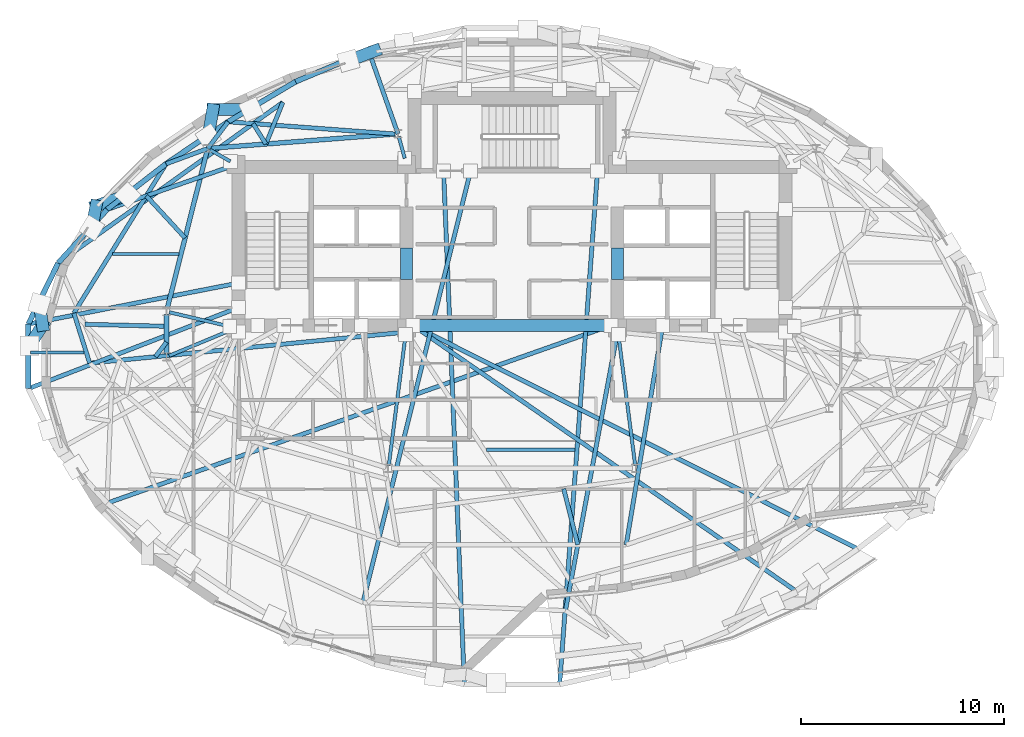
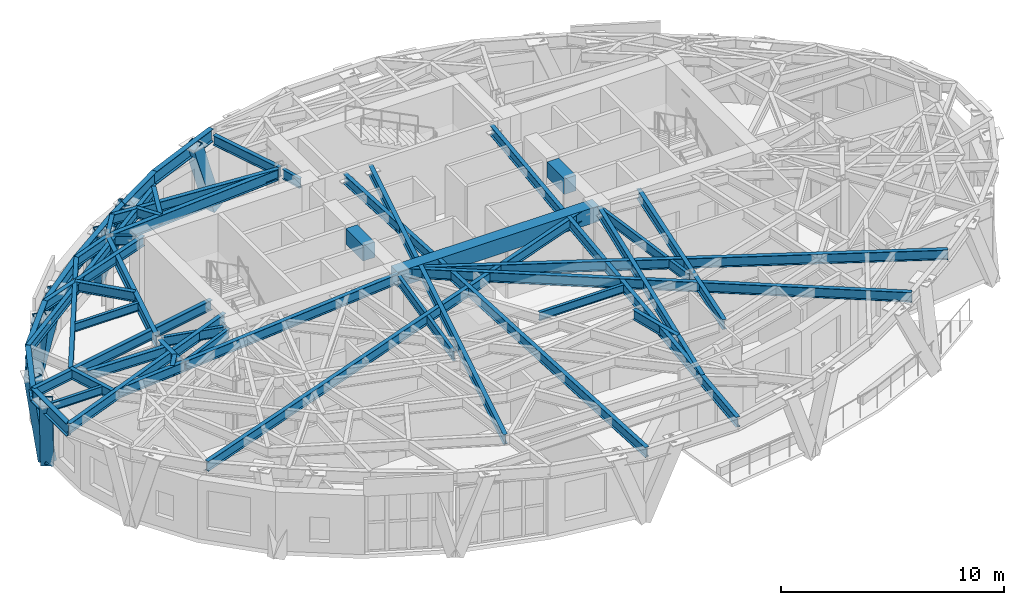
# One storey, part 4 of 15: 47 beams, 7 members.
"""IFC4 building model written with IfcOpenShell, lengths in metres."""

from ifc_helpers import new_model, si_unit, direction, frame, origin, origin_2d, place, context, subcontext, project, spatial, rectangle, hollow_rectangle, i_section, extrude, material, material_profile, profile_set, type_object, element, save


model = new_model("IFC4")

# Units and contexts
model_context = context("Model", 3, precision=1e-05, world=origin(), true_north=direction((0.0, 1.0)))
body_context = subcontext(model_context, "Body", "Model", "MODEL_VIEW")
ifc_project = project(units=[si_unit("LENGTHUNIT", "METRE"), si_unit("AREAUNIT", "SQUARE_METRE"), si_unit("VOLUMEUNIT", "CUBIC_METRE"), si_unit("PLANEANGLEUNIT", "RADIAN"), si_unit("MASSUNIT", "GRAM", prefix="KILO")], contexts=[model_context])

# Site, building, storey
site_placement = place(None, origin())
site = spatial("IfcSite", under=ifc_project, at=site_placement, CompositionType="ELEMENT")
building_placement = place(site_placement, origin())
building = spatial("IfcBuilding", under=site, at=building_placement, Name="Keldmark Tower", CompositionType="ELEMENT")
storey_placement = place(building_placement, frame((0.0, 0.0, 205.89990234375)))
storey = spatial("IfcBuildingStorey", under=building, at=storey_placement, Name="L57", CompositionType="ELEMENT", Elevation=205.89990234375)

# Beams
ifc_material_1 = material(Name="Steel ASTM A992 Grade 50", Category="steel")
ifc_material_profile_1 = material_profile(ifc_material_1, i_section(OverallWidth=0.153076171875, OverallDepth=0.455078125, WebThickness=0.008056640625, FlangeThickness=0.01318359375, at=origin_2d()), Name="W18X40")
ifc_profile_set_1 = profile_set([ifc_material_profile_1], Name="Steel ASTM A992 Grade 50")
beam_type_1 = type_object("IfcBeamType", Name="Composite Floor Joist W18X40", PredefinedType="JOIST", material=ifc_profile_set_1)
beam_1_placement = place(storey_placement, frame((-1.264892578125, -4.60009765625, 3.692626953125), z_axis=(1.0, 0.0, 0.0), x_axis=(0.0, 1.0, 0.0)))
element("IfcBeam", 1, at=beam_1_placement, inside=storey, type_object=beam_type_1, Name="L57 Composite Floor Joist J05", PredefinedType="JOIST", context=body_context, shape_type="SweptSolid", body=[
    extrude(i_section(OverallWidth=0.153076171875, OverallDepth=0.455078125, WebThickness=0.008056640625, FlangeThickness=0.01318359375, at=origin_2d()), origin(), (0.0, 0.0, 1.0), 4.36962890625),
])
beam_2_placement = place(storey_placement, frame((-23.715087890625, 0.199951171875, 3.692626953125), z_axis=(1.0, 0.0, 0.0), x_axis=(0.0, 1.0, 0.0)))
element("IfcBeam", 2, at=beam_2_placement, inside=storey, type_object=beam_type_1, Name="L57 Composite Floor Joist J06", PredefinedType="JOIST", context=body_context, shape_type="SweptSolid", body=[
    extrude(i_section(OverallWidth=0.153076171875, OverallDepth=0.455078125, WebThickness=0.008056640625, FlangeThickness=0.01318359375, at=origin_2d()), origin(), (0.0, 0.0, 1.0), 2.63525390625),
])
beam_3_placement = place(storey_placement, frame((-19.678466796875, 5.0400390625, 3.692626953125), z_axis=(1.0, 0.0, 0.0), x_axis=(0.0, 1.0, 0.0)))
element("IfcBeam", 3, at=beam_3_placement, inside=storey, type_object=beam_type_1, Name="L57 Composite Floor Joist J07", PredefinedType="JOIST", context=body_context, shape_type="SweptSolid", body=[
    extrude(i_section(OverallWidth=0.153076171875, OverallDepth=0.455078125, WebThickness=0.008056640625, FlangeThickness=0.01318359375, at=origin_2d()), origin(), (0.0, 0.0, 1.0), 3.259765625),
])
ifc_material_2 = material(Name="Concrete C50/60", Category="concrete")
ifc_material_profile_2 = material_profile(ifc_material_2, rectangle(XDim=0.60009765625, YDim=0.85009765625, at=origin_2d()), Name="RCB600X850")
ifc_profile_set_2 = profile_set([ifc_material_profile_2], Name="Concrete C50/60")
beam_type_2 = type_object("IfcBeamType", Name="Core Coupling Beam RCB600X850", PredefinedType="USERDEFINED", material=ifc_profile_set_2)
for number, where, z_axis, x_axis, name in (
    (4, (-5.199951171875, 3.800048828125, 3.4951171875), (0.0, 1.0, 0.0), (-1.0, 0.0, 0.0), "L57 West Core Coupling Beam"),
    (5, (5.199951171875, 3.800048828125, 3.4951171875), (0.0, 1.0, 0.0), (-1.0, 0.0, 0.0), "L57 East Core Coupling Beam"),
):
    element("IfcBeam", number, at=place(storey_placement, frame(where, z_axis=z_axis, x_axis=x_axis)), inside=storey, type_object=beam_type_2, Name=name, ObjectType="COUPLING BEAM", PredefinedType="USERDEFINED", context=body_context, shape_type="SweptSolid", body=[
        extrude(rectangle(XDim=0.60009765625, YDim=0.85009765625, at=origin_2d()), origin(), (0.0, 0.0, 1.0), 1.550048828125),
    ])
beam_4_placement = place(storey_placement, frame((-5.199951171875, 1.52490234375, 3.4951171875), z_axis=(1.0, 0.0, 0.0), x_axis=(0.0, 1.0, 0.0)))
element("IfcBeam", 6, at=beam_4_placement, inside=storey, type_object=beam_type_2, Name="L57 Central South Core Coupling Beam", ObjectType="COUPLING BEAM", PredefinedType="USERDEFINED", context=body_context, shape_type="SweptSolid", body=[
    extrude(rectangle(XDim=0.60009765625, YDim=0.85009765625, at=origin_2d()), origin(), (0.0, 0.0, 1.0), 10.39990234375),
])

# Members
ifc_material_3 = material(Name="Steel ASTM A572 Grade 50", Category="steel")
ifc_material_profile_3 = material_profile(ifc_material_3, hollow_rectangle(XDim=0.60009765625, YDim=0.60009765625, WallThickness=0.034912109375, at=origin_2d()), Name="BOX600X600X35")
ifc_profile_set_3 = profile_set([ifc_material_profile_3], Name="Steel ASTM A572 Grade 50")
member_type = type_object("IfcMemberType", Name="Diagrid Zone 4 Brace BOX600X600X35", PredefinedType="BRACE", material=ifc_profile_set_3)
member_1_placement = place(storey_placement, frame((-6.74609375, 15.062255859375, -0.2998046875), z_axis=(-0.303403790087, -0.114297491661, 0.945982147591), x_axis=(0.352532058378, -0.935799737025, 0.0)))
element("IfcMember", 7, at=member_1_placement, inside=storey, type_object=member_type, Name="L57 Perimeter Diagrid Brace 05B", PredefinedType="BRACE", context=body_context, shape_type="SweptSolid", body=[
    extrude(hollow_rectangle(XDim=0.60009765625, YDim=0.60009765625, WallThickness=0.034912109375, at=origin_2d()), origin(), (0.0, 0.0, 1.0), 4.333984375),
])
member_2_placement = place(storey_placement, frame((-14.753173828125, 12.16064453125, -0.2998046875), z_axis=(0.420410725839, 0.001350760589, 0.907332903099), x_axis=(-0.003212938049, 0.999994838501, 0.0)))
element("IfcMember", 8, at=member_2_placement, inside=storey, type_object=member_type, Name="L57 Perimeter Diagrid Brace 06A", PredefinedType="BRACE", context=body_context, shape_type="SweptSolid", body=[
    extrude(hollow_rectangle(XDim=0.60009765625, YDim=0.60009765625, WallThickness=0.034912109375, at=origin_2d()), origin(), (0.0, 0.0, 1.0), 4.5185546875),
])
member_3_placement = place(storey_placement, frame((-14.743408203125, 12.167236328125, -0.2998046875), z_axis=(-0.052328467273, -0.310975761777, 0.9489761889), x_axis=(0.986136029959, -0.165938935806, 0.0)))
element("IfcMember", 9, at=member_3_placement, inside=storey, type_object=member_type, Name="L57 Perimeter Diagrid Brace 06B", PredefinedType="BRACE", context=body_context, shape_type="SweptSolid", body=[
    extrude(hollow_rectangle(XDim=0.60009765625, YDim=0.60009765625, WallThickness=0.034912109375, at=origin_2d()), origin(), (0.0, 0.0, 1.0), 4.3203125),
])
member_4_placement = place(storey_placement, frame((-20.50244140625, 7.409912109375, -0.2998046875), z_axis=(0.353329180023, 0.121790033133, 0.927537426939), x_axis=(-0.325876815168, 0.945412238833, 0.0)))
element("IfcMember", 10, at=member_4_placement, inside=storey, type_object=member_type, Name="L57 Perimeter Diagrid Brace 07A", PredefinedType="BRACE", context=body_context, shape_type="SweptSolid", body=[
    extrude(hollow_rectangle(XDim=0.60009765625, YDim=0.60009765625, WallThickness=0.034912109375, at=origin_2d()), origin(), (0.0, 0.0, 1.0), 4.420166015625),
])
member_5_placement = place(storey_placement, frame((-20.495849609375, 7.419921875, -0.2998046875), z_axis=(-0.049716248385, -0.25680022865, 0.965184923842), x_axis=(0.981770592836, -0.190069732051, 0.0)))
element("IfcMember", 11, at=member_5_placement, inside=storey, type_object=member_type, Name="L57 Perimeter Diagrid Brace 07B", PredefinedType="BRACE", context=body_context, shape_type="SweptSolid", body=[
    extrude(hollow_rectangle(XDim=0.60009765625, YDim=0.60009765625, WallThickness=0.034912109375, at=origin_2d()), origin(), (0.0, 0.0, 1.0), 4.247802734375),
])
member_6_placement = place(storey_placement, frame((-23.13037109375, 1.53125, -0.2998046875), z_axis=(-0.036901688862, 0.247183656488, 0.968265720412), x_axis=(-0.989039339136, -0.147652245637, 0.0)))
element("IfcMember", 12, at=member_6_placement, inside=storey, type_object=member_type, Name="L57 Perimeter Diagrid Brace 08A", PredefinedType="BRACE", context=body_context, shape_type="SweptSolid", body=[
    extrude(hollow_rectangle(XDim=0.60009765625, YDim=0.60009765625, WallThickness=0.034912109375, at=origin_2d()), origin(), (0.0, 0.0, 1.0), 4.234130859375),
])
member_7_placement = place(storey_placement, frame((-23.128173828125, 1.542724609375, -0.2998046875), z_axis=(-0.151222083396, -0.238173353109, 0.959377577058), x_axis=(0.844211360784, -0.536010427439, 0.0)))
element("IfcMember", 13, at=member_7_placement, inside=storey, type_object=member_type, Name="L57 Perimeter Diagrid Brace 08B", PredefinedType="BRACE", context=body_context, shape_type="SweptSolid", body=[
    extrude(hollow_rectangle(XDim=0.60009765625, YDim=0.60009765625, WallThickness=0.034912109375, at=origin_2d()), origin(), (0.0, 0.0, 1.0), 4.2734375),
])

# Beams
ifc_material_4 = material(Name="Steel ASTM A992 Grade 50", Category="steel")
ifc_material_profile_4 = material_profile(ifc_material_4, i_section(OverallWidth=0.22802734375, OverallDepth=0.60302734375, WebThickness=0.010498046875, FlangeThickness=0.014892578125, at=origin_2d()), Name="W24X68")
ifc_profile_set_4 = profile_set([ifc_material_profile_4], Name="Steel ASTM A992 Grade 50")
beam_type_3 = type_object("IfcBeamType", Name="Primary Floor Girder W24X68", PredefinedType="BEAM", material=ifc_profile_set_4)
beam_5_placement = place(storey_placement, frame((-5.75830078125, 10.956298828125, 3.61865234375), z_axis=(-0.997037147832, -0.076921556421, 0.0), x_axis=(0.076921556421, -0.997037147832, 0.0)))
element("IfcBeam", 14, at=beam_5_placement, inside=storey, type_object=beam_type_3, Name="L57 Floor Ring Girder FG-R04", PredefinedType="BEAM", context=body_context, shape_type="SweptSolid", body=[
    extrude(i_section(OverallWidth=0.22802734375, OverallDepth=0.60302734375, WebThickness=0.010498046875, FlangeThickness=0.014892578125, at=origin_2d()), origin(), (0.0, 0.0, 1.0), 9.125),
])
beam_6_placement = place(storey_placement, frame((-15.030029296875, 10.10791015625, 3.61865234375), z_axis=(-0.244902129455, -0.969547805417, 0.0), x_axis=(0.969547805417, -0.244902129455, 0.0)))
element("IfcBeam", 15, at=beam_6_placement, inside=storey, type_object=beam_type_3, Name="L57 Floor Ring Girder FG-R05", PredefinedType="BEAM", context=body_context, shape_type="SweptSolid", body=[
    extrude(i_section(OverallWidth=0.22802734375, OverallDepth=0.60302734375, WebThickness=0.010498046875, FlangeThickness=0.014892578125, at=origin_2d()), origin(), (0.0, 0.0, 1.0), 8.008056640625),
])
beam_7_placement = place(storey_placement, frame((-17.025634765625, 2.068115234375, 3.61865234375), z_axis=(0.0, -1.0, 0.0), x_axis=(1.0, 0.0, 0.0)))
element("IfcBeam", 16, at=beam_7_placement, inside=storey, type_object=beam_type_3, Name="L57 Floor Ring Girder FG-R06", PredefinedType="BEAM", context=body_context, shape_type="SweptSolid", body=[
    extrude(i_section(OverallWidth=0.22802734375, OverallDepth=0.60302734375, WebThickness=0.010498046875, FlangeThickness=0.014892578125, at=origin_2d()), origin(), (0.0, 0.0, 1.0), 1.9521484375),
])
ifc_material_5 = material(Name="Steel ASTM A992 Grade 50", Category="steel")
ifc_material_profile_5 = material_profile(ifc_material_5, i_section(OverallWidth=0.166015625, OverallDepth=0.529052734375, WebThickness=0.009765625, FlangeThickness=0.013671875, at=origin_2d()), Name="W21X50")
ifc_profile_set_5 = profile_set([ifc_material_profile_5], Name="Steel ASTM A992 Grade 50")
beam_type_4 = type_object("IfcBeamType", Name="Radial Tie Girder W21X50", PredefinedType="BEAM", material=ifc_profile_set_5)
beam_8_placement = place(storey_placement, frame((-5.581298828125, 10.83203125, 3.655517578125), z_axis=(0.265936023434, -0.963990680163, 0.0), x_axis=(0.963990680163, 0.265936023434, 0.0)))
element("IfcBeam", 17, at=beam_8_placement, inside=storey, type_object=beam_type_4, Name="L57 Floor Radial Girder FG-C04", PredefinedType="BEAM", context=body_context, shape_type="SweptSolid", body=[
    extrude(i_section(OverallWidth=0.166015625, OverallDepth=0.529052734375, WebThickness=0.009765625, FlangeThickness=0.013671875, at=origin_2d()), origin(), (0.0, 0.0, 1.0), 1.113525390625),
])
beam_9_placement = place(storey_placement, frame((-14.8740234375, 10.174560546875, 3.655517578125), z_axis=(0.869238046195, -0.494393789451, 0.0), x_axis=(0.494393789451, 0.869238046195, 0.0)))
element("IfcBeam", 18, at=beam_9_placement, inside=storey, type_object=beam_type_4, Name="L57 Floor Radial Girder FG-C05", PredefinedType="BEAM", context=body_context, shape_type="SweptSolid", body=[
    extrude(i_section(OverallWidth=0.166015625, OverallDepth=0.529052734375, WebThickness=0.009765625, FlangeThickness=0.013671875, at=origin_2d()), origin(), (0.0, 0.0, 1.0), 1.145751953125),
])
beam_10_placement = place(storey_placement, frame((-16.889404296875, 2.17578125, 3.655517578125), z_axis=(0.97329039005, -0.229577474147, 0.0), x_axis=(0.229577474147, 0.97329039005, 0.0)))
element("IfcBeam", 19, at=beam_10_placement, inside=storey, type_object=beam_type_4, Name="L57 Floor Radial Girder FG-C06", PredefinedType="BEAM", context=body_context, shape_type="SweptSolid", body=[
    extrude(i_section(OverallWidth=0.166015625, OverallDepth=0.529052734375, WebThickness=0.009765625, FlangeThickness=0.013671875, at=origin_2d()), origin(), (0.0, 0.0, 1.0), 3.0595703125),
])
beam_11_placement = place(storey_placement, frame((-16.896240234375, 0.02978515625, 3.655517578125), z_axis=(0.923403331902, 0.383831065226, 0.0), x_axis=(-0.383831065226, 0.923403331902, 0.0)))
element("IfcBeam", 20, at=beam_11_placement, inside=storey, type_object=beam_type_4, Name="L57 Floor Radial Girder FG-C07", PredefinedType="BEAM", context=body_context, shape_type="SweptSolid", body=[
    extrude(i_section(OverallWidth=0.166015625, OverallDepth=0.529052734375, WebThickness=0.009765625, FlangeThickness=0.013671875, at=origin_2d()), origin(), (0.0, 0.0, 1.0), 3.249755859375),
])
for number, where, z_axis, x_axis, name in (
    (21, (-6.071533203125, -5.3740234375, 3.655517578125), (0.127625044513, 0.991822488157, 0.0), (-0.991822488157, 0.127625044513, 0.0), "L57 Floor Radial Girder FG-C09"),
    (22, (6.071533203125, -5.3740234375, 3.655517578125), (-0.127625044513, 0.991822488157, 0.0), (-0.991822488157, -0.127625044513, 0.0), "L57 Floor Radial Girder FG-C10"),
):
    element("IfcBeam", number, at=place(storey_placement, frame(where, z_axis=z_axis, x_axis=x_axis)), inside=storey, type_object=beam_type_4, Name=name, PredefinedType="BEAM", context=body_context, shape_type="SweptSolid", body=[
        extrude(i_section(OverallWidth=0.166015625, OverallDepth=0.529052734375, WebThickness=0.009765625, FlangeThickness=0.013671875, at=origin_2d()), origin(), (0.0, 0.0, 1.0), 6.509765625),
    ])
ifc_material_6 = material(Name="Steel ASTM A992 Grade 50", Category="steel")
ifc_material_profile_6 = material_profile(ifc_material_6, i_section(OverallWidth=0.2099609375, OverallDepth=0.537109375, WebThickness=0.010986328125, FlangeThickness=0.017333984375, at=origin_2d()), Name="W21X68")
ifc_profile_set_6 = profile_set([ifc_material_profile_6], Name="Steel ASTM A992 Grade 50")
beam_type_5 = type_object("IfcBeamType", Name="Radial Tie Girder W21X68", PredefinedType="BEAM", material=ifc_profile_set_6)
beam_12_placement = place(storey_placement, frame((-17.025634765625, 0.70166015625, 3.651611328125), z_axis=(-0.606466551829, -0.795108999768, 0.0), x_axis=(0.795108999768, -0.606466551829, 0.0)))
element("IfcBeam", 23, at=beam_12_placement, inside=storey, type_object=beam_type_5, Name="L57 Framing Pin Header PH-001", PredefinedType="BEAM", context=body_context, shape_type="SweptSolid", body=[
    extrude(i_section(OverallWidth=0.2099609375, OverallDepth=0.537109375, WebThickness=0.010986328125, FlangeThickness=0.017333984375, at=origin_2d()), origin(), (0.0, 0.0, 1.0), 0.9033203125),
])
beam_13_placement = place(storey_placement, frame((-5.199951171875, 1.199951171875, 3.651611328125), z_axis=(-0.995201014348, -0.097851627681, 0.0), x_axis=(0.097851627681, -0.995201014348, 0.0)))
element("IfcBeam", 24, at=beam_13_placement, inside=storey, type_object=beam_type_5, Name="L57 Sub-Ring Step Girder STP1-M07", PredefinedType="BEAM", context=body_context, shape_type="SweptSolid", body=[
    extrude(i_section(OverallWidth=0.2099609375, OverallDepth=0.537109375, WebThickness=0.010986328125, FlangeThickness=0.017333984375, at=origin_2d()), origin(), (0.0, 0.0, 1.0), 15.68603515625),
])
beam_14_placement = place(storey_placement, frame((7.425048828125, 1.52490234375, 3.651611328125), z_axis=(-0.16391462963, -0.986474527899, 0.0), x_axis=(0.986474527899, -0.16391462963, 0.0)))
element("IfcBeam", 25, at=beam_14_placement, inside=storey, type_object=beam_type_5, Name="L57 Sub-Ring Step Girder STP1-M10", PredefinedType="BEAM", context=body_context, shape_type="SweptSolid", body=[
    extrude(i_section(OverallWidth=0.2099609375, OverallDepth=0.537109375, WebThickness=0.010986328125, FlangeThickness=0.017333984375, at=origin_2d()), origin(), (0.0, 0.0, 1.0), 10.953369140625),
])
beam_15_placement = place(storey_placement, frame((-2.04296875, 9.139892578125, 3.651611328125), z_axis=(-0.241833294715, -0.970317812661, 0.0), x_axis=(0.970317812661, -0.241833294715, 0.0)))
element("IfcBeam", 26, at=beam_15_placement, inside=storey, type_object=beam_type_5, Name="L57 Sub-Ring Step Girder STP2-M09", PredefinedType="BEAM", context=body_context, shape_type="SweptSolid", body=[
    extrude(i_section(OverallWidth=0.2099609375, OverallDepth=0.537109375, WebThickness=0.010986328125, FlangeThickness=0.017333984375, at=origin_2d()), origin(), (0.0, 0.0, 1.0), 21.922119140625),
])
beam_16_placement = place(storey_placement, frame((2.547607421875, -6.527099609375, 3.651611328125), z_axis=(0.244618865253, -0.969619312288, 0.0), x_axis=(0.969619312288, 0.244618865253, 0.0)))
element("IfcBeam", 27, at=beam_16_placement, inside=storey, type_object=beam_type_5, Name="L57 Framing Pin Header PH-009", PredefinedType="BEAM", context=body_context, shape_type="SweptSolid", body=[
    extrude(i_section(OverallWidth=0.2099609375, OverallDepth=0.537109375, WebThickness=0.010986328125, FlangeThickness=0.017333984375, at=origin_2d()), origin(), (0.0, 0.0, 1.0), 2.83935546875),
])
beam_17_placement = place(storey_placement, frame((5.199951171875, 1.199951171875, 3.651611328125), z_axis=(-0.183633134943, -0.982994848283, 0.0), x_axis=(0.982994848283, -0.183633134943, 0.0)))
element("IfcBeam", 28, at=beam_17_placement, inside=storey, type_object=beam_type_5, Name="L57 Sub-Ring Step Girder STP2-M10", PredefinedType="BEAM", context=body_context, shape_type="SweptSolid", body=[
    extrude(i_section(OverallWidth=0.2099609375, OverallDepth=0.537109375, WebThickness=0.010986328125, FlangeThickness=0.017333984375, at=origin_2d()), origin(), (0.0, 0.0, 1.0), 13.9677734375),
])
beam_18_placement = place(storey_placement, frame((-14.995849609375, 10.24365234375, 3.651611328125), z_axis=(0.607253376458, 0.794508235817, 0.0), x_axis=(-0.794508235817, 0.607253376458, 0.0)))
element("IfcBeam", 29, at=beam_18_placement, inside=storey, type_object=beam_type_5, Name="L57 Perimeter Column Bracket RT-12", PredefinedType="BEAM", context=body_context, shape_type="SweptSolid", body=[
    extrude(i_section(OverallWidth=0.2099609375, OverallDepth=0.537109375, WebThickness=0.010986328125, FlangeThickness=0.017333984375, at=origin_2d()), origin(), (0.0, 0.0, 1.0), 1.658447265625),
])
beam_19_placement = place(storey_placement, frame((-14.995849609375, 10.24365234375, 3.651611328125), z_axis=(-0.938266766663, -0.345912524457, 0.0), x_axis=(0.345912524457, -0.938266766663, 0.0)))
element("IfcBeam", 30, at=beam_19_placement, inside=storey, type_object=beam_type_5, Name="L57 Perimeter Column Bracket RT-13", PredefinedType="BEAM", context=body_context, shape_type="SweptSolid", body=[
    extrude(i_section(OverallWidth=0.2099609375, OverallDepth=0.537109375, WebThickness=0.010986328125, FlangeThickness=0.017333984375, at=origin_2d()), origin(), (0.0, 0.0, 1.0), 2.184326171875),
])
beam_20_placement = place(storey_placement, frame((-20.810791015625, -0.3349609375, 3.651611328125), z_axis=(-0.300047403544, 0.953924292398, 0.0), x_axis=(-0.953924292398, -0.300047403544, 0.0)))
element("IfcBeam", 31, at=beam_20_placement, inside=storey, type_object=beam_type_5, Name="L57 Local Collector Chord RT-15C", PredefinedType="BEAM", context=body_context, shape_type="SweptSolid", body=[
    extrude(i_section(OverallWidth=0.2099609375, OverallDepth=0.537109375, WebThickness=0.010986328125, FlangeThickness=0.017333984375, at=origin_2d()), origin(), (0.0, 0.0, 1.0), 2.58740234375),
])
beam_21_placement = place(storey_placement, frame((-17.025634765625, 1.482421875, 3.651611328125), z_axis=(-0.999701319007, 0.02443916479, 0.0), x_axis=(-0.02443916479, -0.999701319007, 0.0)))
element("IfcBeam", 32, at=beam_21_placement, inside=storey, type_object=beam_type_5, Name="L57 Framing Pin Header PH-019", PredefinedType="BEAM", context=body_context, shape_type="SweptSolid", body=[
    extrude(i_section(OverallWidth=0.2099609375, OverallDepth=0.537109375, WebThickness=0.010986328125, FlangeThickness=0.017333984375, at=origin_2d()), origin(), (0.0, 0.0, 1.0), 4.02587890625),
])
beam_22_placement = place(storey_placement, frame((-13.47509765625, 3.6142578125, 3.651611328125), z_axis=(-0.981477651946, -0.191576665412, 0.0), x_axis=(0.191576665412, -0.981477651946, 0.0)))
element("IfcBeam", 33, at=beam_22_placement, inside=storey, type_object=beam_type_5, Name="L57 Perimeter Radial Tie Girder RT-16", PredefinedType="BEAM", context=body_context, shape_type="SweptSolid", body=[
    extrude(i_section(OverallWidth=0.2099609375, OverallDepth=0.537109375, WebThickness=0.010986328125, FlangeThickness=0.017333984375, at=origin_2d()), origin(), (0.0, 0.0, 1.0), 10.554443359375),
])
beam_23_placement = place(storey_placement, frame((-13.47509765625, 2.406982421875, 3.651611328125), z_axis=(-0.932889825217, -0.360161871951, 0.0), x_axis=(0.360161871951, -0.932889825217, 0.0)))
element("IfcBeam", 34, at=beam_23_placement, inside=storey, type_object=beam_type_5, Name="L57 Perimeter Radial Tie Girder RT-17", PredefinedType="BEAM", context=body_context, shape_type="SweptSolid", body=[
    extrude(i_section(OverallWidth=0.2099609375, OverallDepth=0.537109375, WebThickness=0.010986328125, FlangeThickness=0.017333984375, at=origin_2d()), origin(), (0.0, 0.0, 1.0), 11.10400390625),
])
beam_24_placement = place(storey_placement, frame((4.875, 1.52490234375, 3.651611328125), z_axis=(-0.943039104732, -0.332681900538, 0.0), x_axis=(0.332681900538, -0.943039104732, 0.0)))
element("IfcBeam", 35, at=beam_24_placement, inside=storey, type_object=beam_type_5, Name="L57 Perimeter Radial Tie Girder RT-19", PredefinedType="BEAM", context=body_context, shape_type="SweptSolid", body=[
    extrude(i_section(OverallWidth=0.2099609375, OverallDepth=0.537109375, WebThickness=0.010986328125, FlangeThickness=0.017333984375, at=origin_2d()), origin(), (0.0, 0.0, 1.0), 26.3330078125),
])
beam_25_placement = place(storey_placement, frame((-3.371337890625, 9.139892578125, 3.651611328125), z_axis=(0.040429234395, -0.999182404272, 0.0), x_axis=(0.999182404272, 0.040429234395, 0.0)))
element("IfcBeam", 36, at=beam_25_placement, inside=storey, type_object=beam_type_5, Name="L57 Perimeter Radial Tie Girder RT-24", PredefinedType="BEAM", context=body_context, shape_type="SweptSolid", body=[
    extrude(i_section(OverallWidth=0.2099609375, OverallDepth=0.537109375, WebThickness=0.010986328125, FlangeThickness=0.017333984375, at=origin_2d()), origin(), (0.0, 0.0, 1.0), 25.326416015625),
])
beam_26_placement = place(storey_placement, frame((4.215087890625, 9.139892578125, 3.651611328125), z_axis=(-0.073604459866, -0.997287512951, 0.0), x_axis=(0.997287512951, -0.073604459866, 0.0)))
element("IfcBeam", 37, at=beam_26_placement, inside=storey, type_object=beam_type_5, Name="L57 Perimeter Radial Tie Girder RT-25", PredefinedType="BEAM", context=body_context, shape_type="SweptSolid", body=[
    extrude(i_section(OverallWidth=0.2099609375, OverallDepth=0.537109375, WebThickness=0.010986328125, FlangeThickness=0.017333984375, at=origin_2d()), origin(), (0.0, 0.0, 1.0), 25.37451171875),
])
beam_27_placement = place(storey_placement, frame((-4.875, 1.52490234375, 3.651611328125), z_axis=(0.821648588678, -0.569994383063, 0.0), x_axis=(0.569994383063, 0.821648588678, 0.0)))
element("IfcBeam", 38, at=beam_27_placement, inside=storey, type_object=beam_type_5, Name="L57 Perimeter Radial Tie Girder RT-28", PredefinedType="BEAM", context=body_context, shape_type="SweptSolid", body=[
    extrude(i_section(OverallWidth=0.2099609375, OverallDepth=0.537109375, WebThickness=0.010986328125, FlangeThickness=0.017333984375, at=origin_2d()), origin(), (0.0, 0.0, 1.0), 22.95849609375),
])
beam_28_placement = place(storey_placement, frame((-4.875, 1.52490234375, 3.651611328125), z_axis=(0.893565670094, -0.448932504091, 0.0), x_axis=(0.448932504091, 0.893565670094, 0.0)))
element("IfcBeam", 39, at=beam_28_placement, inside=storey, type_object=beam_type_5, Name="L57 Perimeter Radial Tie Girder RT-29", PredefinedType="BEAM", context=body_context, shape_type="SweptSolid", body=[
    extrude(i_section(OverallWidth=0.2099609375, OverallDepth=0.537109375, WebThickness=0.010986328125, FlangeThickness=0.017333984375, at=origin_2d()), origin(), (0.0, 0.0, 1.0), 24.531494140625),
])
beam_29_placement = place(storey_placement, frame((-5.61865234375, 10.967041015625, 3.651611328125), z_axis=(-0.332956941914, 0.942942031533, 0.0), x_axis=(-0.942942031533, -0.332956941914, 0.0)))
element("IfcBeam", 40, at=beam_29_placement, inside=storey, type_object=beam_type_5, Name="L57 North Column Cantilever Girder West FG-TCN-W", PredefinedType="BEAM", context=body_context, shape_type="SweptSolid", body=[
    extrude(i_section(OverallWidth=0.2099609375, OverallDepth=0.537109375, WebThickness=0.010986328125, FlangeThickness=0.017333984375, at=origin_2d()), origin(), (0.0, 0.0, 1.0), 3.919921875),
])
beam_30_placement = place(storey_placement, frame((-5.75830078125, 10.956298828125, 3.651611328125), z_axis=(-0.997309406734, 0.073307211375, 0.0), x_axis=(-0.073307211375, -0.997309406734, 0.0)))
element("IfcBeam", 41, at=beam_30_placement, inside=storey, type_object=beam_type_5, Name="L57 Straddling Support Chord RT-11RB", PredefinedType="BEAM", context=body_context, shape_type="SweptSolid", body=[
    extrude(i_section(OverallWidth=0.2099609375, OverallDepth=0.537109375, WebThickness=0.010986328125, FlangeThickness=0.017333984375, at=origin_2d()), origin(), (0.0, 0.0, 1.0), 8.252685546875),
])
beam_31_placement = place(storey_placement, frame((-12.126708984375, 10.465087890625, 3.651611328125), z_axis=(-0.531569182138, 0.847014878618, 0.0), x_axis=(-0.847014878618, -0.531569182138, 0.0)))
element("IfcBeam", 42, at=beam_31_placement, inside=storey, type_object=beam_type_5, Name="L57 Framing Pin Header PH-036", PredefinedType="BEAM", context=body_context, shape_type="SweptSolid", body=[
    extrude(i_section(OverallWidth=0.2099609375, OverallDepth=0.537109375, WebThickness=0.010986328125, FlangeThickness=0.017333984375, at=origin_2d()), origin(), (0.0, 0.0, 1.0), 1.187255859375),
])
beam_32_placement = place(storey_placement, frame((-22.363525390625, 4.601318359375, 3.651611328125), z_axis=(0.813408481101, 0.581692911143, 0.0), x_axis=(-0.581692911143, 0.813408481101, 0.0)))
element("IfcBeam", 43, at=beam_32_placement, inside=storey, type_object=beam_type_5, Name="L57 Crown Step Radial Girder RT-11RN1", PredefinedType="BEAM", context=body_context, shape_type="SweptSolid", body=[
    extrude(i_section(OverallWidth=0.2099609375, OverallDepth=0.537109375, WebThickness=0.010986328125, FlangeThickness=0.017333984375, at=origin_2d()), origin(), (0.0, 0.0, 1.0), 13.608642578125),
])
beam_33_placement = place(storey_placement, frame((-11.294189453125, 12.517333984375, 3.651611328125), z_axis=(-0.375909806563, -0.926656256295, 0.0), x_axis=(0.926656256295, -0.375909806563, 0.0)))
element("IfcBeam", 44, at=beam_33_placement, inside=storey, type_object=beam_type_5, Name="L57 Crown Step Collector Chord RT-11RP1", PredefinedType="BEAM", context=body_context, shape_type="SweptSolid", body=[
    extrude(i_section(OverallWidth=0.2099609375, OverallDepth=0.537109375, WebThickness=0.010986328125, FlangeThickness=0.017333984375, at=origin_2d()), origin(), (0.0, 0.0, 1.0), 2.214599609375),
])
beam_34_placement = place(storey_placement, frame((-17.04541015625, 9.488037109375, 3.651611328125), z_axis=(-0.525418917897, -0.85084367584, 0.0), x_axis=(0.85084367584, -0.525418917897, 0.0)))
element("IfcBeam", 45, at=beam_34_placement, inside=storey, type_object=beam_type_5, Name="L57 Straddling Support Chord RT-14RB", PredefinedType="BEAM", context=body_context, shape_type="SweptSolid", body=[
    extrude(i_section(OverallWidth=0.2099609375, OverallDepth=0.537109375, WebThickness=0.010986328125, FlangeThickness=0.017333984375, at=origin_2d()), origin(), (0.0, 0.0, 1.0), 8.64404296875),
])
beam_35_placement = place(storey_placement, frame((-16.10888671875, 5.837646484375, 3.651611328125), z_axis=(-0.677726006607, 0.735314531319, 0.0), x_axis=(-0.735314531319, -0.677726006607, 0.0)))
element("IfcBeam", 46, at=beam_35_placement, inside=storey, type_object=beam_type_5, Name="L57 Framing Pin Header PH-037", PredefinedType="BEAM", context=body_context, shape_type="SweptSolid", body=[
    extrude(i_section(OverallWidth=0.2099609375, OverallDepth=0.537109375, WebThickness=0.010986328125, FlangeThickness=0.017333984375, at=origin_2d()), origin(), (0.0, 0.0, 1.0), 2.819091796875),
])
beam_36_placement = place(storey_placement, frame((-13.60009765625, 9.449951171875, 3.651611328125), z_axis=(-0.944362673172, -0.328905976717, 0.0), x_axis=(0.328905976717, -0.944362673172, 0.0)))
element("IfcBeam", 47, at=beam_36_placement, inside=storey, type_object=beam_type_5, Name="L57 Perimeter Radial Tie Girder RT-14R", PredefinedType="BEAM", context=body_context, shape_type="SweptSolid", body=[
    extrude(i_section(OverallWidth=0.2099609375, OverallDepth=0.537109375, WebThickness=0.010986328125, FlangeThickness=0.017333984375, at=origin_2d()), origin(), (0.0, 0.0, 1.0), 6.732421875),
])
ifc_material_7 = material(Name="Steel ASTM A992 Grade 50", Category="steel")
ifc_material_profile_7 = material_profile(ifc_material_7, i_section(OverallWidth=0.256103515625, OverallDepth=0.693115234375, WebThickness=0.014404296875, FlangeThickness=0.023681640625, at=origin_2d()), Name="W27X114")
ifc_profile_set_7 = profile_set([ifc_material_profile_7], Name="Steel ASTM A992 Grade 50")
beam_type_6 = type_object("IfcBeamType", Name="Spandrel Ring Beam W27X114", PredefinedType="SPANDREL", material=ifc_profile_set_7)
beam_37_placement = place(storey_placement, frame((-6.783935546875, 15.168212890625, 3.573486328125), z_axis=(-0.921948168537, -0.387313276988, 0.0), x_axis=(0.387313276988, -0.921948168537, 0.0)))
element("IfcBeam", 48, at=beam_37_placement, inside=storey, type_object=beam_type_6, Name="L57 Perimeter Spandrel Ring Beam SRB-10", PredefinedType="SPANDREL", context=body_context, shape_type="SweptSolid", body=[
    extrude(i_section(OverallWidth=0.256103515625, OverallDepth=0.693115234375, WebThickness=0.014404296875, FlangeThickness=0.023681640625, at=origin_2d()), origin(), (0.0, 0.0, 1.0), 4.212646484375),
])
beam_38_placement = place(storey_placement, frame((-10.667724609375, 13.53662109375, 3.573486328125), z_axis=(-0.85946011514, -0.511202807586, 0.0), x_axis=(0.511202807586, -0.85946011514, 0.0)))
element("IfcBeam", 49, at=beam_38_placement, inside=storey, type_object=beam_type_6, Name="L57 Perimeter Spandrel Ring Beam SRB-11", PredefinedType="SPANDREL", context=body_context, shape_type="SweptSolid", body=[
    extrude(i_section(OverallWidth=0.256103515625, OverallDepth=0.693115234375, WebThickness=0.014404296875, FlangeThickness=0.023681640625, at=origin_2d()), origin(), (0.0, 0.0, 1.0), 3.864013671875),
])
beam_39_placement = place(storey_placement, frame((-13.98876953125, 11.561279296875, 3.573486328125), z_axis=(-0.827589832786, -0.561333295529, 0.0), x_axis=(0.561333295529, -0.827589832786, 0.0)))
element("IfcBeam", 50, at=beam_39_placement, inside=storey, type_object=beam_type_6, Name="L57 Perimeter Spandrel Ring Beam SRB-12", PredefinedType="SPANDREL", context=body_context, shape_type="SweptSolid", body=[
    extrude(i_section(OverallWidth=0.256103515625, OverallDepth=0.693115234375, WebThickness=0.014404296875, FlangeThickness=0.023681640625, at=origin_2d()), origin(), (0.0, 0.0, 1.0), 3.693359375),
])
beam_40_placement = place(storey_placement, frame((-17.04541015625, 9.488037109375, 3.573486328125), z_axis=(-0.791048705713, -0.611753173421, 0.0), x_axis=(0.611753173421, -0.791048705713, 0.0)))
element("IfcBeam", 51, at=beam_40_placement, inside=storey, type_object=beam_type_6, Name="L57 Perimeter Spandrel Ring Beam SRB-13", PredefinedType="SPANDREL", context=body_context, shape_type="SweptSolid", body=[
    extrude(i_section(OverallWidth=0.256103515625, OverallDepth=0.693115234375, WebThickness=0.014404296875, FlangeThickness=0.023681640625, at=origin_2d()), origin(), (0.0, 0.0, 1.0), 3.681884765625),
])
beam_41_placement = place(storey_placement, frame((-19.9580078125, 7.235595703125, 3.573486328125), z_axis=(-0.674316422374, -0.738442524857, 0.0), x_axis=(0.738442524857, -0.674316422374, 0.0)))
element("IfcBeam", 52, at=beam_41_placement, inside=storey, type_object=beam_type_6, Name="L57 Perimeter Spandrel Ring Beam SRB-14", PredefinedType="SPANDREL", context=body_context, shape_type="SweptSolid", body=[
    extrude(i_section(OverallWidth=0.256103515625, OverallDepth=0.693115234375, WebThickness=0.014404296875, FlangeThickness=0.023681640625, at=origin_2d()), origin(), (0.0, 0.0, 1.0), 3.5673828125),
])
beam_42_placement = place(storey_placement, frame((-22.363525390625, 4.601318359375, 3.573486328125), z_axis=(-0.439059769954, -0.898457855666, 0.0), x_axis=(0.898457855666, -0.439059769954, 0.0)))
element("IfcBeam", 53, at=beam_42_placement, inside=storey, type_object=beam_type_6, Name="L57 Perimeter Spandrel Ring Beam SRB-15", PredefinedType="SPANDREL", context=body_context, shape_type="SweptSolid", body=[
    extrude(i_section(OverallWidth=0.256103515625, OverallDepth=0.693115234375, WebThickness=0.014404296875, FlangeThickness=0.023681640625, at=origin_2d()), origin(), (0.0, 0.0, 1.0), 3.34912109375),
])
beam_43_placement = place(storey_placement, frame((-23.833984375, 1.59228515625, 3.573486328125), z_axis=(0.0, -1.0, 0.0), x_axis=(1.0, 0.0, 0.0)))
element("IfcBeam", 54, at=beam_43_placement, inside=storey, type_object=beam_type_6, Name="L57 Perimeter Spandrel Ring Beam SRB-16", PredefinedType="SPANDREL", context=body_context, shape_type="SweptSolid", body=[
    extrude(i_section(OverallWidth=0.256103515625, OverallDepth=0.693115234375, WebThickness=0.014404296875, FlangeThickness=0.023681640625, at=origin_2d()), origin(), (0.0, 0.0, 1.0), 3.1845703125),
])

save(model, "model.ifc")
